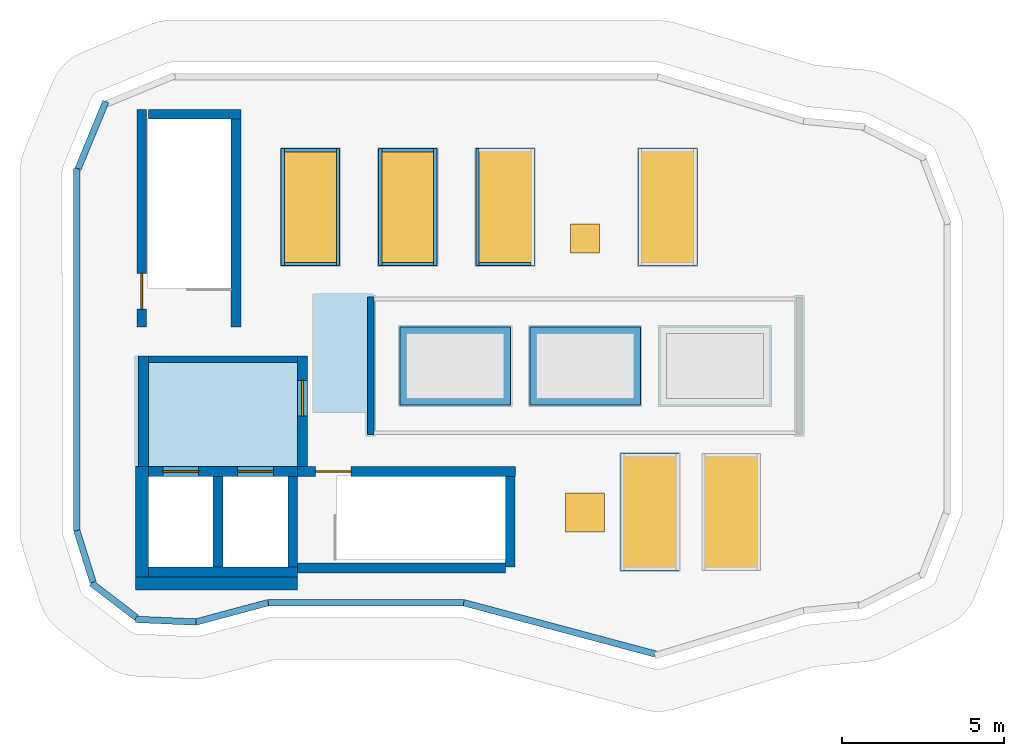
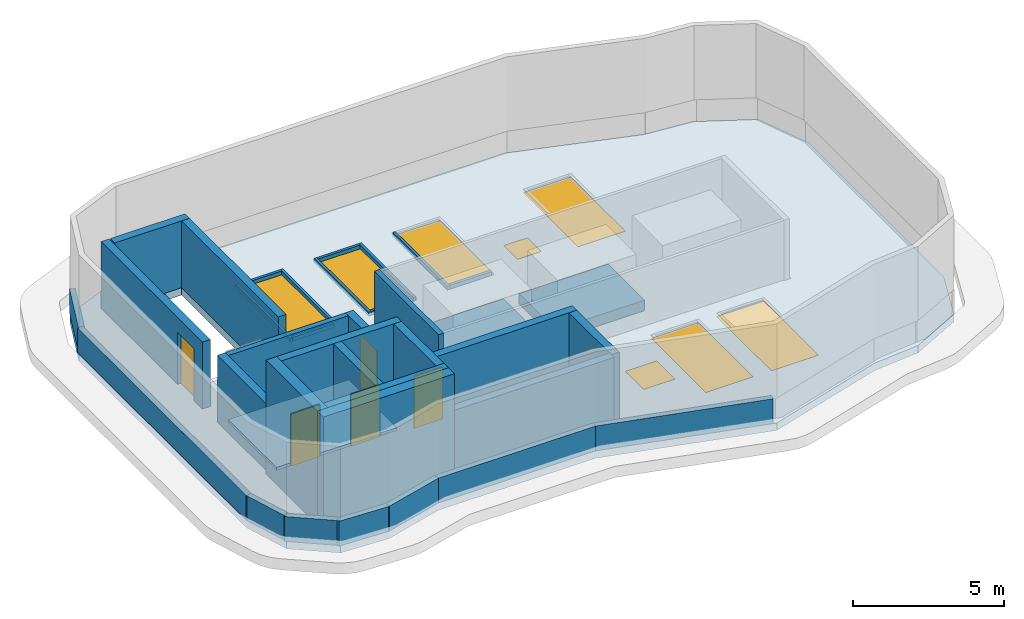
# One storey, part 1 of 4: 36 walls, 7 doors, 6 windows, 2 slabs, 13 openings.
"""IFC4 building model written with IfcOpenShell, lengths in metres."""

import ifcopenshell
import ifcopenshell.guid

model = None  # the IFC model being written
_history = None  # IfcOwnerHistory: only IFC2X3 demands one
_inside = {}  # id of a spatial element -> (the spatial element, [elements in it])
_under = {}  # id of a project, library or spatial element -> (it, [spatial elements below it])
_declared = {}  # id of a project -> (the project, [libraries it declares])
_typed = {}  # id of a type object -> (the type object, [elements of that type])
_made_of = {}  # id of a material, layer set ... -> (it, [elements and type objects made of it])


def new_model(schema):
    """Start an empty IFC model of exactly this schema.

    Asked for "IFC4X3", IfcOpenShell would pick the latest addendum, in which some entities
    have other attributes; the version numbers below select the first issue.
    IFC2X3 requires an IfcOwnerHistory on every rooted entity: one is made here for all.
    """
    global model, _history
    if schema == "IFC4X3":
        model = ifcopenshell.file(schema_version=(4, 3, 0, 0))
    else:
        model = ifcopenshell.file(schema=schema)
    _inside.clear()
    _under.clear()
    _declared.clear()
    _typed.clear()
    _made_of.clear()
    _history = None
    if model.schema == "IFC2X3":
        org = make("IfcOrganization", Name="unknown")
        user = make(
            "IfcPersonAndOrganization",
            ThePerson=make("IfcPerson", FamilyName="unknown"),
            TheOrganization=org,
        )
        app = make(
            "IfcApplication",
            ApplicationDeveloper=org,
            Version="unknown",
            ApplicationFullName="unknown",
            ApplicationIdentifier="unknown",
        )
        _history = make(
            "IfcOwnerHistory",
            OwningUser=user,
            OwningApplication=app,
            ChangeAction="ADDED",
            CreationDate=0,
        )
    return model


def make(cls, **values):
    """One entity of the class cls with the attributes given. An attribute that is None is left unset."""
    return model.create_entity(
        cls, **{name: value for name, value in values.items() if value is not None}
    )


def rooted(cls, **values):
    """An entity with a GlobalId (a new one), such as an element, a storey or a relation."""
    return make(cls, GlobalId=ifcopenshell.guid.new(), OwnerHistory=_history, **values)


def si_unit(unit_type, name, prefix=None):
    """IfcSIUnit, for example si_unit("LENGTHUNIT", "METRE", prefix="MILLI")."""
    return make("IfcSIUnit", UnitType=unit_type, Prefix=prefix, Name=name)


def assignment(units):
    """IfcUnitAssignment: the units of a project."""
    return None if units is None else make("IfcUnitAssignment", Units=units)


def point(xyz):
    """IfcCartesianPoint."""
    return None if xyz is None else make("IfcCartesianPoint", Coordinates=xyz)


def direction(xyz):
    """IfcDirection."""
    return None if xyz is None else make("IfcDirection", DirectionRatios=xyz)


def frame(location, z_axis=None, x_axis=None):
    """IfcAxis2Placement3D, a coordinate frame: its origin and axes. An axis left out is left unset."""
    return make(
        "IfcAxis2Placement3D",
        Location=point(location),
        Axis=direction(z_axis),
        RefDirection=direction(x_axis),
    )


def frame_2d(location, x_axis=None):
    """IfcAxis2Placement2D, a coordinate frame in the plane: its origin and x axis."""
    return make(
        "IfcAxis2Placement2D", Location=point(location), RefDirection=direction(x_axis)
    )


def origin():
    """The frame at (0, 0, 0) with its axes left unset."""
    return frame((0.0, 0.0, 0.0))


def origin_2d():
    """The frame at (0, 0) in the plane with its x axis left unset."""
    return frame_2d((0.0, 0.0))


def place(relative_to, where):
    """IfcLocalPlacement: puts the frame where relative to a parent placement (None: the world)."""
    return make(
        "IfcLocalPlacement", PlacementRelTo=relative_to, RelativePlacement=where
    )


def context(
    kind, dimensions, precision=None, world=None, true_north=None, identifier=None
):
    """IfcGeometricRepresentationContext, for example the 3D "Model" context."""
    return make(
        "IfcGeometricRepresentationContext",
        ContextIdentifier=identifier,
        ContextType=kind,
        CoordinateSpaceDimension=dimensions,
        Precision=precision,
        WorldCoordinateSystem=world,
        TrueNorth=true_north,
    )


def subcontext(parent, identifier, kind, view, scale=None):
    """IfcGeometricRepresentationSubContext, for example "Body" below "Model"."""
    return make(
        "IfcGeometricRepresentationSubContext",
        ContextIdentifier=identifier,
        ContextType=kind,
        ParentContext=parent,
        TargetScale=scale,
        TargetView=view,
    )


def project(units=None, contexts=None):
    """IfcProject with its units and contexts."""
    return rooted(
        "IfcProject",
        Name="project",
        RepresentationContexts=contexts,
        UnitsInContext=assignment(units),
    )


def spatial(cls, under=None, at=None, **own):
    """A site, building, storey or space (cls), placed at a placement, below another one or the project."""
    s = rooted(cls, ObjectPlacement=at, **own)
    if under is not None:
        _under.setdefault(under.id(), (under, []))[1].append(s)
    return s


def polyline(points):
    """IfcPolyline through the points."""
    return make("IfcPolyline", Points=[point(p) for p in points])


def profile(cls, at=None, kind="AREA", **sizes):
    """A parametric profile (cls). Its sizes go by their IFC names, for example OverallWidth=200.0."""
    return make(cls, ProfileType=kind, Position=at, **sizes)


def rectangle(**sizes):
    """IfcRectangleProfileDef."""
    return profile("IfcRectangleProfileDef", **sizes)


def outline(outer, holes=None, kind="AREA"):
    """IfcArbitraryClosedProfileDef: a profile drawn as a closed curve; with holes, ...WithVoids."""
    if holes is None:
        return make("IfcArbitraryClosedProfileDef", ProfileType=kind, OuterCurve=outer)
    return make(
        "IfcArbitraryProfileDefWithVoids",
        ProfileType=kind,
        OuterCurve=outer,
        InnerCurves=holes,
    )


def extrude(swept, where, along, depth):
    """IfcExtrudedAreaSolid: the profile swept, set in the frame where, extruded along a direction by depth."""
    return make(
        "IfcExtrudedAreaSolid",
        SweptArea=swept,
        Position=where,
        ExtrudedDirection=direction(along),
        Depth=depth,
    )


def shape(context_of_items, identifier, shape_type, items):
    """IfcShapeRepresentation: the items that make up one representation, for example the "Body"."""
    return make(
        "IfcShapeRepresentation",
        ContextOfItems=context_of_items,
        RepresentationIdentifier=identifier,
        RepresentationType=shape_type,
        Items=items,
    )


def material(Name=None, Category=None):
    """IfcMaterial."""
    return make("IfcMaterial", Name=Name, Category=Category)


def layer(
    of_material, thickness, ventilated=None, Name=None, Category=None, Priority=None
):
    """IfcMaterialLayer: one layer of a wall or slab, of a material (None: an air gap)."""
    return make(
        "IfcMaterialLayer",
        Material=of_material,
        LayerThickness=thickness,
        IsVentilated=ventilated,
        Name=Name,
        Category=Category,
        Priority=Priority,
    )


def layer_set(layers, Name=None):
    """IfcMaterialLayerSet."""
    return make("IfcMaterialLayerSet", MaterialLayers=layers, LayerSetName=Name)


def made_of(thing, what):
    """Note that an element or type object is made of a material, layer set ...; save() writes the relation."""
    if what is not None:
        _made_of.setdefault(what.id(), (what, []))[1].append(thing)
    return thing


def type_object(cls, material=None, **own):
    """A type object (cls), such as IfcWallType, which elements share."""
    return made_of(rooted(cls, **own), material)


def element(
    cls,
    number,
    at=None,
    inside=None,
    cuts=None,
    type_object=None,
    material=None,
    context=None,
    identifier="Body",
    shape_type=None,
    held_by="IfcProductDefinitionShape",
    body=None,
    shapes=None,
    **own,
):
    """One element of the class cls, such as IfcWall. Its Tag is "e" and its number.

    at: its placement. inside: the storey or other place that contains it. cuts: it is an
    opening in that element (IfcRelVoidsElement). A single representation is given by context,
    identifier, shape_type and body (its items); several are given by shapes. held_by: the class
    of the entity that holds the representations. save() writes the other relations.
    """
    e = rooted(cls, Tag="e%d" % number, ObjectPlacement=at, **own)
    if body is not None:
        shapes = [shape(context, identifier, shape_type, body)]
    if shapes is not None:
        e.Representation = make(held_by, Representations=shapes)
    if inside is not None:
        _inside.setdefault(inside.id(), (inside, []))[1].append(e)
    if cuts is not None:
        rooted(
            "IfcRelVoidsElement", RelatingBuildingElement=cuts, RelatedOpeningElement=e
        )
    if type_object is not None:
        _typed.setdefault(type_object.id(), (type_object, []))[1].append(e)
    return made_of(e, material)


def fill(opening, filler):
    """IfcRelFillsElement: the door or window that sits in an opening."""
    return rooted(
        "IfcRelFillsElement",
        RelatingOpeningElement=opening,
        RelatedBuildingElement=filler,
    )


def aggregate(whole, parts):
    """IfcRelAggregates: a whole, such as a stair, and the parts it consists of."""
    return rooted("IfcRelAggregates", RelatingObject=whole, RelatedObjects=parts)


def save(model, path):
    """Write the relations noted so far, then the file.

    IfcRelAggregates (storeys below a building ...), IfcRelContainedInSpatialStructure (elements
    in a storey), IfcRelDefinesByType, IfcRelAssociatesMaterial and IfcRelDeclares: one each for
    every whole, place, type object, material and project.
    """
    for whole, parts in _under.values():
        aggregate(whole, parts)
    for where, things in _inside.values():
        rooted(
            "IfcRelContainedInSpatialStructure",
            RelatedElements=things,
            RelatingStructure=where,
        )
    for kind, things in _typed.values():
        rooted("IfcRelDefinesByType", RelatedObjects=things, RelatingType=kind)
    for what, things in _made_of.values():
        rooted("IfcRelAssociatesMaterial", RelatedObjects=things, RelatingMaterial=what)
    for by, libraries in _declared.values():
        rooted("IfcRelDeclares", RelatingContext=by, RelatedDefinitions=libraries)
    model.write(path)


model = new_model("IFC4")

# Units and contexts
model_context = context("Model", 3, precision=1e-05, world=origin(), true_north=direction((0.0, 1.0)))
body_context = subcontext(model_context, "Body", "Model", "MODEL_VIEW")
ifc_project = project(units=[si_unit("LENGTHUNIT", "METRE"), si_unit("AREAUNIT", "SQUARE_METRE"), si_unit("VOLUMEUNIT", "CUBIC_METRE"), si_unit("PLANEANGLEUNIT", "RADIAN"), si_unit("MASSUNIT", "GRAM", prefix="KILO")], contexts=[model_context])

# Site, building, storey
site_placement = place(None, origin())
site = spatial("IfcSite", under=ifc_project, at=site_placement, CompositionType="ELEMENT")
building_placement = place(site_placement, origin())
building = spatial("IfcBuilding", under=site, at=building_placement, Name="Plateau Cross Towers", CompositionType="ELEMENT")
storey_placement = place(building_placement, frame((0.0, 0.0, 312.39990234375)))
storey = spatial("IfcBuildingStorey", under=building, at=storey_placement, Name="Roof", CompositionType="ELEMENT", Elevation=312.39990234375)

# Slab
ifc_material_1 = material(Name="Concrete C40/50", Category="concrete")
ifc_layer_1 = layer(ifc_material_1, 0.1201171875)
ifc_layer_set_1 = layer_set([ifc_layer_1], Name="Concrete C40/50")
slab_type_1 = type_object("IfcSlabType", Name="Plant deck slab 120", PredefinedType="FLOOR", material=ifc_layer_set_1)
slab_1_placement = place(storey_placement, origin())
element("IfcSlab", 1, at=slab_1_placement, inside=storey, type_object=slab_type_1, Name="Roof lift lobby floor", PredefinedType="FLOOR", context=body_context, shape_type="SweptSolid", body=[
    extrude(outline(polyline([(2.300048828125, 5.89990234375), (6.89990234375, 5.89990234375), (6.89990234375, 9.10009765625), (2.300048828125, 9.10009765625), (2.300048828125, 5.89990234375)])), origin(), (0.0, 0.0, 1.0), 0.1201171875),
])

# Slab, openings, doors, windows
ifc_layer_2 = layer(ifc_material_1, 0.300048828125)
ifc_layer_set_2 = layer_set([ifc_layer_2], Name="Concrete C40/50")
slab_type_2 = type_object("IfcSlabType", Name="Post-tensioned roof slab 300", PredefinedType="ROOF", material=ifc_layer_set_2)
slab_2_placement = place(storey_placement, frame((0.0, 0.0, -0.2998046875)))
slab_2 = element("IfcSlab", 2, at=slab_2_placement, inside=storey, type_object=slab_type_2, Name="SL-A-Roof", PredefinedType="ROOF", context=body_context, shape_type="SweptSolid", body=[
    extrude(outline(polyline([(3.776123046875, 1.01123046875), (6.0, 1.60693359375), (12.0, 1.60693359375), (18.0, 0.0), (22.5, 1.36328125), (24.289794921875, 1.536865234375), (26.221435546875, 2.506591796875), (27.0, 4.52294921875), (27.0, 13.47705078125), (26.221435546875, 15.493408203125), (24.289794921875, 16.463134765625), (22.5, 16.63671875), (18.0, 18.0), (3.0, 18.0), (0.878662109375, 17.121337890625), (0.0, 15.0), (0.0, 3.9091796875), (0.54248046875, 2.1884765625), (1.9736328125, 1.090087890625), (3.776123046875, 1.01123046875)]), holes=[polyline([(4.304931640625, 2.794921875), (2.294921875, 2.794921875), (2.294921875, 5.60498046875), (4.304931640625, 5.60498046875), (4.304931640625, 2.794921875)]), polyline([(6.60498046875, 2.794921875), (4.594970703125, 2.794921875), (4.594970703125, 5.60498046875), (6.60498046875, 5.60498046875), (6.60498046875, 2.794921875)]), polyline([(8.094970703125, 4.405029296875), (8.10498046875, 4.405029296875), (8.10498046875, 5.60498046875), (13.304931640625, 5.60498046875), (13.304931640625, 3.044921875), (8.094970703125, 3.044921875), (8.094970703125, 4.405029296875)]), polyline([(3.4951171875, 11.39501953125), (3.4951171875, 11.405029296875), (2.294921875, 11.405029296875), (2.294921875, 16.60498046875), (4.85498046875, 16.60498046875), (4.85498046875, 11.39501953125), (3.4951171875, 11.39501953125)])]), origin(), (0.0, 0.0, 1.0), 0.2998046875),
])
opening_1_placement = place(slab_2_placement, frame((15.75, 12.919921875, 0.0)))
opening_1 = element("IfcOpeningElement", 3, at=opening_1_placement, cuts=slab_2, Name="Opening RH1", PredefinedType="OPENING", context=body_context, shape_type="SweptSolid", body=[
    extrude(rectangle(XDim=0.89990234375, YDim=0.89990234375, at=origin_2d()), origin(), (0.0, 0.0, 1.0), 0.2998046875),
])
opening_2_placement = place(slab_2_placement, frame((15.75, 4.47998046875, 0.0)))
opening_2 = element("IfcOpeningElement", 4, at=opening_2_placement, cuts=slab_2, Name="Opening RH2", PredefinedType="OPENING", context=body_context, shape_type="SweptSolid", body=[
    extrude(rectangle(XDim=1.199951171875, YDim=1.199951171875, at=origin_2d()), origin(), (0.0, 0.0, 1.0), 0.2998046875),
])
opening_3_placement = place(slab_2_placement, frame((17.75, 4.5, 0.0)))
opening_3 = element("IfcOpeningElement", 5, at=opening_3_placement, cuts=slab_2, Name="Opening RL2", PredefinedType="OPENING", context=body_context, shape_type="SweptSolid", body=[
    extrude(rectangle(XDim=1.800048828125, YDim=3.60009765625, at=origin_2d()), origin(), (0.0, 0.0, 1.0), 0.2998046875),
])
opening_4_placement = place(slab_2_placement, frame((20.25, 4.5, 0.0)))
opening_4 = element("IfcOpeningElement", 6, at=opening_4_placement, cuts=slab_2, Name="Opening RL2", PredefinedType="OPENING", context=body_context, shape_type="SweptSolid", body=[
    extrude(rectangle(XDim=1.800048828125, YDim=3.60009765625, at=origin_2d()), origin(), (0.0, 0.0, 1.0), 0.2998046875),
])
opening_5_placement = place(slab_2_placement, frame((7.2900390625, 13.889892578125, 0.0)))
opening_5 = element("IfcOpeningElement", 7, at=opening_5_placement, cuts=slab_2, Name="Opening RL2", PredefinedType="OPENING", context=body_context, shape_type="SweptSolid", body=[
    extrude(rectangle(XDim=1.800048828125, YDim=3.60009765625, at=origin_2d()), origin(), (0.0, 0.0, 1.0), 0.2998046875),
])
opening_6_placement = place(slab_2_placement, frame((10.2900390625, 13.889892578125, 0.0)))
opening_6 = element("IfcOpeningElement", 8, at=opening_6_placement, cuts=slab_2, Name="Opening RL2", PredefinedType="OPENING", context=body_context, shape_type="SweptSolid", body=[
    extrude(rectangle(XDim=1.800048828125, YDim=3.60009765625, at=origin_2d()), origin(), (0.0, 0.0, 1.0), 0.2998046875),
])
opening_7_placement = place(slab_2_placement, frame((13.2900390625, 13.889892578125, 0.0)))
opening_7 = element("IfcOpeningElement", 9, at=opening_7_placement, cuts=slab_2, Name="Opening RL2", PredefinedType="OPENING", context=body_context, shape_type="SweptSolid", body=[
    extrude(rectangle(XDim=1.800048828125, YDim=3.60009765625, at=origin_2d()), origin(), (0.0, 0.0, 1.0), 0.2998046875),
])
opening_8_placement = place(slab_2_placement, frame((18.2900390625, 13.889892578125, 0.0)))
opening_8 = element("IfcOpeningElement", 10, at=opening_8_placement, cuts=slab_2, Name="Opening RL2", PredefinedType="OPENING", context=body_context, shape_type="SweptSolid", body=[
    extrude(rectangle(XDim=1.800048828125, YDim=3.60009765625, at=origin_2d()), origin(), (0.0, 0.0, 1.0), 0.2998046875),
])
ifc_material_2 = material(Name="Insulated aluminium", Category="aluminium")
door_type_1 = type_object("IfcDoorType", Name="Roof access hatch 1200", OperationType="SINGLE_SWING_LEFT", PredefinedType="TRAPDOOR", material=ifc_material_2)
door_1_placement = place(opening_2_placement, frame((0.0, 0.0, 0.249755859375)))
door_1 = element("IfcDoor", 11, at=door_1_placement, inside=storey, type_object=door_type_1, Name="Plant replacement hatch", OperationType="SINGLE_SWING_LEFT", OverallHeight=1.199951171875, OverallWidth=1.199951171875, PredefinedType="TRAPDOOR", context=body_context, shape_type="SweptSolid", body=[
    extrude(rectangle(XDim=1.199951171875, YDim=1.199951171875, at=origin_2d()), origin(), (0.0, 0.0, 1.0), 0.050048828125),
])
fill(opening_2, door_1)
door_type_2 = type_object("IfcDoorType", Name="Roof access hatch 900", OperationType="SINGLE_SWING_LEFT", PredefinedType="TRAPDOOR", material=ifc_material_2)
door_2_placement = place(opening_1_placement, frame((0.0, 0.0, 0.249755859375)))
door_2 = element("IfcDoor", 12, at=door_2_placement, inside=storey, type_object=door_type_2, Name="Roof access hatch", OperationType="SINGLE_SWING_LEFT", OverallHeight=0.89990234375, OverallWidth=0.89990234375, PredefinedType="TRAPDOOR", context=body_context, shape_type="SweptSolid", body=[
    extrude(rectangle(XDim=0.89990234375, YDim=0.89990234375, at=origin_2d()), origin(), (0.0, 0.0, 1.0), 0.050048828125),
])
fill(opening_1, door_2)
ifc_material_3 = material(Name="Aluminium framed glazing", Category="aluminium")
window_type = type_object("IfcWindowType", Name="Rooflight 1800x3600", PartitioningType="SINGLE_PANEL", PredefinedType="SKYLIGHT", material=ifc_material_3)
window_1_placement = place(opening_3_placement, frame((0.0, 0.0, 0.249755859375)))
window_1 = element("IfcWindow", 13, at=window_1_placement, inside=storey, type_object=window_type, Name="Rooflight RL2 1", OverallHeight=3.60009765625, OverallWidth=1.800048828125, PartitioningType="SINGLE_PANEL", PredefinedType="SKYLIGHT", context=body_context, shape_type="SweptSolid", body=[
    extrude(rectangle(XDim=1.800048828125, YDim=3.60009765625, at=origin_2d()), origin(), (0.0, 0.0, 1.0), 0.050048828125),
])
fill(opening_3, window_1)
window_2_placement = place(opening_4_placement, frame((0.0, 0.0, 0.249755859375)))
window_2 = element("IfcWindow", 14, at=window_2_placement, inside=storey, type_object=window_type, Name="Rooflight RL2 2", OverallHeight=3.60009765625, OverallWidth=1.800048828125, PartitioningType="SINGLE_PANEL", PredefinedType="SKYLIGHT", context=body_context, shape_type="SweptSolid", body=[
    extrude(rectangle(XDim=1.800048828125, YDim=3.60009765625, at=origin_2d()), origin(), (0.0, 0.0, 1.0), 0.050048828125),
])
fill(opening_4, window_2)
window_3_placement = place(opening_5_placement, frame((0.0, 0.0, 0.249755859375)))
window_3 = element("IfcWindow", 15, at=window_3_placement, inside=storey, type_object=window_type, Name="Rooflight RL2 3", OverallHeight=3.60009765625, OverallWidth=1.800048828125, PartitioningType="SINGLE_PANEL", PredefinedType="SKYLIGHT", context=body_context, shape_type="SweptSolid", body=[
    extrude(rectangle(XDim=1.800048828125, YDim=3.60009765625, at=origin_2d()), origin(), (0.0, 0.0, 1.0), 0.050048828125),
])
fill(opening_5, window_3)
window_4_placement = place(opening_6_placement, frame((0.0, 0.0, 0.249755859375)))
window_4 = element("IfcWindow", 16, at=window_4_placement, inside=storey, type_object=window_type, Name="Rooflight RL2 4", OverallHeight=3.60009765625, OverallWidth=1.800048828125, PartitioningType="SINGLE_PANEL", PredefinedType="SKYLIGHT", context=body_context, shape_type="SweptSolid", body=[
    extrude(rectangle(XDim=1.800048828125, YDim=3.60009765625, at=origin_2d()), origin(), (0.0, 0.0, 1.0), 0.050048828125),
])
fill(opening_6, window_4)
window_5_placement = place(opening_7_placement, frame((0.0, 0.0, 0.249755859375)))
window_5 = element("IfcWindow", 17, at=window_5_placement, inside=storey, type_object=window_type, Name="Rooflight RL2 5", OverallHeight=3.60009765625, OverallWidth=1.800048828125, PartitioningType="SINGLE_PANEL", PredefinedType="SKYLIGHT", context=body_context, shape_type="SweptSolid", body=[
    extrude(rectangle(XDim=1.800048828125, YDim=3.60009765625, at=origin_2d()), origin(), (0.0, 0.0, 1.0), 0.050048828125),
])
fill(opening_7, window_5)
window_6_placement = place(opening_8_placement, frame((0.0, 0.0, 0.249755859375)))
window_6 = element("IfcWindow", 18, at=window_6_placement, inside=storey, type_object=window_type, Name="Rooflight RL2 6", OverallHeight=3.60009765625, OverallWidth=1.800048828125, PartitioningType="SINGLE_PANEL", PredefinedType="SKYLIGHT", context=body_context, shape_type="SweptSolid", body=[
    extrude(rectangle(XDim=1.800048828125, YDim=3.60009765625, at=origin_2d()), origin(), (0.0, 0.0, 1.0), 0.050048828125),
])
fill(opening_8, window_6)

# Walls
ifc_material_4 = material(Name="Concrete block, plastered both sides", Category="concrete")
ifc_layer_3 = layer(ifc_material_4, 0.199951171875)
ifc_layer_set_3 = layer_set([ifc_layer_3], Name="Concrete block, plastered both sides")
wall_type_1 = type_object("IfcWallType", Name="Core partition 200", PredefinedType="PARTITIONING", material=ifc_layer_set_3)
wall_1_placement = place(storey_placement, frame((2.300048828125, 9.199951171875, 0.0), z_axis=(0.0, 0.0, 1.0), x_axis=(1.0, 0.0, 0.0)))
element("IfcWall", 19, at=wall_1_placement, inside=storey, type_object=wall_type_1, Name="Roof lift lobby wall", PredefinedType="PARTITIONING", context=body_context, shape_type="SweptSolid", body=[
    extrude(rectangle(XDim=4.599853515625, YDim=0.199951171875, at=frame_2d((2.2998046875, 0.0))), origin(), (0.0, 0.0, 1.0), 2.7001953125),
])
ifc_material_5 = material(Name="Concrete C60/75", Category="concrete")
ifc_layer_4 = layer(ifc_material_5, 0.300048828125)
ifc_layer_set_4 = layer_set([ifc_layer_4], Name="Concrete C60/75")
wall_type_2 = type_object("IfcWallType", Name="Core shaft wall 300", PredefinedType="SHEAR", material=ifc_layer_set_4)
wall_2_placement = place(storey_placement, frame((5.0, 10.199951171875, 0.0), z_axis=(0.0, 0.0, 1.0), x_axis=(0.0, 1.0, 0.0)))
element("IfcWall", 20, at=wall_2_placement, inside=storey, type_object=wall_type_2, Name="ST-1 head house wall", PredefinedType="SHEAR", context=body_context, shape_type="SweptSolid", body=[
    extrude(rectangle(XDim=6.400146484375, YDim=0.300048828125, at=frame_2d((3.2001953125, 0.0))), origin(), (0.0, 0.0, 1.0), 2.7001953125),
])
wall_3_placement = place(storey_placement, frame((5.14990234375, 16.75, 0.0), z_axis=(0.0, 0.0, 1.0), x_axis=(-1.0, 0.0, 0.0)))
element("IfcWall", 21, at=wall_3_placement, inside=storey, type_object=wall_type_2, Name="ST-1 head house wall", PredefinedType="SHEAR", context=body_context, shape_type="SweptSolid", body=[
    extrude(rectangle(XDim=2.849853515625, YDim=0.300048828125, at=frame_2d((1.4248046875, 0.0))), origin(), (0.0, 0.0, 1.0), 2.7001953125),
])
wall_4_placement = place(storey_placement, frame((13.449951171875, 2.800048828125, 0.0), z_axis=(0.0, 0.0, 1.0), x_axis=(0.0, 1.0, 0.0)))
element("IfcWall", 22, at=wall_4_placement, inside=storey, type_object=wall_type_2, Name="ST-2 head house wall", PredefinedType="SHEAR", context=body_context, shape_type="SweptSolid", body=[
    extrude(rectangle(XDim=2.800048828125, YDim=0.300048828125, at=frame_2d((1.39990234375, 0.0))), origin(), (0.0, 0.0, 1.0), 2.7001953125),
])

# Wall, opening, door
wall_5_placement = place(storey_placement, frame((6.89990234375, 5.75, 0.0), z_axis=(0.0, 0.0, 1.0), x_axis=(1.0, 0.0, 0.0)))
wall_5 = element("IfcWall", 23, at=wall_5_placement, inside=storey, type_object=wall_type_2, Name="ST-2 head house wall", PredefinedType="SHEAR", context=body_context, shape_type="SweptSolid", body=[
    extrude(rectangle(XDim=6.7001953125, YDim=0.300048828125, at=frame_2d((3.35009765625, 0.0))), origin(), (0.0, 0.0, 1.0), 2.7001953125),
])
opening_9_placement = place(wall_5_placement, frame((0.550048828125, 0.0, 0.0)))
opening_9 = element("IfcOpeningElement", 24, at=opening_9_placement, cuts=wall_5, Name="Opening SD", PredefinedType="OPENING", context=body_context, shape_type="SweptSolid", body=[
    extrude(rectangle(XDim=1.10009765625, YDim=2.10009765625, at=frame_2d((0.550048828125, 1.050048828125))), frame((0.0, 0.159912109375, 0.0), z_axis=(0.0, -1.0, 0.0), x_axis=(1.0, 0.0, 0.0)), (0.0, 0.0, 1.0), 0.320068359375),
])
ifc_material_6 = material(Name="Steel, fire-resisting leaf", Category="steel")
door_type_3 = type_object("IfcDoorType", Name="Stair door 1100", OperationType="NOTDEFINED", PredefinedType="DOOR", material=ifc_material_6)
door_3_placement = place(opening_9_placement, origin())
door_3 = element("IfcDoor", 25, at=door_3_placement, inside=storey, type_object=door_type_3, Name="Stair door SD", OperationType="SINGLE_SWING_LEFT", OverallHeight=2.10009765625, OverallWidth=1.10009765625, PredefinedType="DOOR", context=body_context, shape_type="SweptSolid", body=[
    extrude(rectangle(XDim=1.10009765625, YDim=2.10009765625, at=frame_2d((0.550048828125, 1.050048828125))), frame((0.0, 0.02490234375, 0.0), z_axis=(0.0, -1.0, 0.0), x_axis=(1.0, 0.0, 0.0)), (0.0, 0.0, 1.0), 0.050048828125),
])
fill(opening_9, door_3)

# Walls
wall_6_placement = place(storey_placement, frame((2.300048828125, 2.64990234375, 0.0), z_axis=(0.0, 0.0, 1.0), x_axis=(1.0, 0.0, 0.0)))
element("IfcWall", 26, at=wall_6_placement, inside=storey, type_object=wall_type_2, Name="Lift head house wall", PredefinedType="SHEAR", context=body_context, shape_type="SweptSolid", body=[
    extrude(rectangle(XDim=4.599853515625, YDim=0.300048828125, at=frame_2d((2.2998046875, 0.0))), origin(), (0.0, 0.0, 1.0), 4.60009765625),
])
for number, where, z_axis, x_axis, name in (
    (27, (4.449951171875, 2.800048828125, 0.0), (0.0, 0.0, 1.0), (0.0, 1.0, 0.0), "Lift head house wall"),
    (28, (6.75, 2.800048828125, 0.0), (0.0, 0.0, 1.0), (0.0, 1.0, 0.0), "Lift head house wall"),
):
    element("IfcWall", number, at=place(storey_placement, frame(where, z_axis=z_axis, x_axis=x_axis)), inside=storey, type_object=wall_type_2, Name=name, PredefinedType="SHEAR", context=body_context, shape_type="SweptSolid", body=[
        extrude(rectangle(XDim=2.800048828125, YDim=0.300048828125, at=frame_2d((1.39990234375, 0.0))), origin(), (0.0, 0.0, 1.0), 4.60009765625),
    ])

# Wall, openings, doors
wall_7_placement = place(storey_placement, frame((2.300048828125, 5.75, 0.0), z_axis=(0.0, 0.0, 1.0), x_axis=(1.0, 0.0, 0.0)))
wall_7 = element("IfcWall", 29, at=wall_7_placement, inside=storey, type_object=wall_type_2, Name="Lift head house wall", PredefinedType="SHEAR", context=body_context, shape_type="SweptSolid", body=[
    extrude(rectangle(XDim=4.599853515625, YDim=0.300048828125, at=frame_2d((2.2998046875, 0.0))), origin(), (0.0, 0.0, 1.0), 4.60009765625),
])
opening_10_placement = place(wall_7_placement, frame((0.449951171875, 0.0, 0.1201171875)))
opening_10 = element("IfcOpeningElement", 30, at=opening_10_placement, cuts=wall_7, Name="Opening LD", PredefinedType="OPENING", context=body_context, shape_type="SweptSolid", body=[
    extrude(rectangle(XDim=1.10009765625, YDim=2.10009765625, at=frame_2d((0.550048828125, 1.050048828125))), frame((0.0, 0.159912109375, 0.0), z_axis=(0.0, -1.0, 0.0), x_axis=(1.0, 0.0, 0.0)), (0.0, 0.0, 1.0), 0.320068359375),
])
opening_11_placement = place(wall_7_placement, frame((2.75, 0.0, 0.1201171875)))
opening_11 = element("IfcOpeningElement", 31, at=opening_11_placement, cuts=wall_7, Name="Opening LD", PredefinedType="OPENING", context=body_context, shape_type="SweptSolid", body=[
    extrude(rectangle(XDim=1.10009765625, YDim=2.10009765625, at=frame_2d((0.550048828125, 1.050048828125))), frame((0.0, 0.159912109375, 0.0), z_axis=(0.0, -1.0, 0.0), x_axis=(1.0, 0.0, 0.0)), (0.0, 0.0, 1.0), 0.320068359375),
])
ifc_material_7 = material(Name="Stainless steel, fire-resisting sliding leaves", Category="steel")
door_type_4 = type_object("IfcDoorType", Name="Lift landing door 1100", OperationType="NOTDEFINED", PredefinedType="DOOR", material=ifc_material_7)
door_4_placement = place(opening_10_placement, origin())
door_4 = element("IfcDoor", 32, at=door_4_placement, inside=storey, type_object=door_type_4, Name="Lift landing door LD", OperationType="DOUBLE_DOOR_SLIDING", OverallHeight=2.10009765625, OverallWidth=1.10009765625, PredefinedType="DOOR", context=body_context, shape_type="SweptSolid", body=[
    extrude(rectangle(XDim=1.10009765625, YDim=2.10009765625, at=frame_2d((0.550048828125, 1.050048828125))), frame((0.0, 0.02490234375, 0.0), z_axis=(0.0, -1.0, 0.0), x_axis=(1.0, 0.0, 0.0)), (0.0, 0.0, 1.0), 0.050048828125),
])
fill(opening_10, door_4)
door_5_placement = place(opening_11_placement, origin())
door_5 = element("IfcDoor", 33, at=door_5_placement, inside=storey, type_object=door_type_4, Name="Lift landing door LD", OperationType="DOUBLE_DOOR_SLIDING", OverallHeight=2.10009765625, OverallWidth=1.10009765625, PredefinedType="DOOR", context=body_context, shape_type="SweptSolid", body=[
    extrude(rectangle(XDim=1.10009765625, YDim=2.10009765625, at=frame_2d((0.550048828125, 1.050048828125))), frame((0.0, 0.02490234375, 0.0), z_axis=(0.0, -1.0, 0.0), x_axis=(1.0, 0.0, 0.0)), (0.0, 0.0, 1.0), 0.050048828125),
])
fill(opening_11, door_5)

# Wall
wall_8_placement = place(storey_placement, frame((2.14990234375, 5.89990234375, 0.0), z_axis=(0.0, 0.0, 1.0), x_axis=(0.0, 1.0, 0.0)))
element("IfcWall", 34, at=wall_8_placement, inside=storey, type_object=wall_type_2, Name="Roof lift lobby wall", PredefinedType="SHEAR", context=body_context, shape_type="SweptSolid", body=[
    extrude(rectangle(XDim=3.400146484375, YDim=0.300048828125, at=frame_2d((1.7001953125, 0.0))), origin(), (0.0, 0.0, 1.0), 2.7001953125),
])

# Wall, opening, door
wall_9_placement = place(storey_placement, frame((7.050048828125, 5.89990234375, 0.0), z_axis=(0.0, 0.0, 1.0), x_axis=(0.0, 1.0, 0.0)))
wall_9 = element("IfcWall", 35, at=wall_9_placement, inside=storey, type_object=wall_type_2, Name="Roof lift lobby wall", PredefinedType="SHEAR", context=body_context, shape_type="SweptSolid", body=[
    extrude(rectangle(XDim=3.400146484375, YDim=0.300048828125, at=frame_2d((1.7001953125, 0.0))), origin(), (0.0, 0.0, 1.0), 2.7001953125),
])
opening_12_placement = place(wall_9_placement, frame((1.550048828125, 0.0, 0.1201171875)))
opening_12 = element("IfcOpeningElement", 36, at=opening_12_placement, cuts=wall_9, Name="Opening FFD", PredefinedType="OPENING", context=body_context, shape_type="SweptSolid", body=[
    extrude(rectangle(XDim=1.10009765625, YDim=2.10009765625, at=frame_2d((0.550048828125, 1.050048828125))), frame((0.0, 0.159912109375, 0.0), z_axis=(0.0, -1.0, 0.0), x_axis=(1.0, 0.0, 0.0)), (0.0, 0.0, 1.0), 0.320068359375),
])
door_type_5 = type_object("IfcDoorType", Name="Firefighting lobby door 1100", OperationType="NOTDEFINED", PredefinedType="DOOR", material=ifc_material_6)
door_6_placement = place(opening_12_placement, origin())
door_6 = element("IfcDoor", 37, at=door_6_placement, inside=storey, type_object=door_type_5, Name="Firefighting lobby door FFD", OperationType="SINGLE_SWING_RIGHT", OverallHeight=2.10009765625, OverallWidth=1.10009765625, PredefinedType="DOOR", context=body_context, shape_type="SweptSolid", body=[
    extrude(rectangle(XDim=1.10009765625, YDim=2.10009765625, at=frame_2d((0.550048828125, 1.050048828125))), frame((0.0, 0.02490234375, 0.0), z_axis=(0.0, -1.0, 0.0), x_axis=(1.0, 0.0, 0.0)), (0.0, 0.0, 1.0), 0.050048828125),
])
fill(opening_12, door_6)

# Wall
ifc_layer_5 = layer(ifc_material_5, 0.550048828125)
ifc_layer_set_5 = layer_set([ifc_layer_5], Name="Concrete C60/75")
wall_type_3 = type_object("IfcWallType", Name="Core shaft wall 550", PredefinedType="SHEAR", material=ifc_layer_set_5)
wall_10_placement = place(storey_placement, frame((6.89990234375, 2.77490234375, 0.0), z_axis=(0.0, 0.0, 1.0), x_axis=(1.0, 0.0, 0.0)))
element("IfcWall", 38, at=wall_10_placement, inside=storey, type_object=wall_type_3, Name="ST-2 head house wall", PredefinedType="SHEAR", context=body_context, shape_type="SweptSolid", body=[
    extrude(rectangle(XDim=6.400146484375, YDim=0.300048828125, at=frame_2d((3.2001953125, 0.0))), origin(), (0.0, 0.0, 1.0), 2.7001953125),
])

# Wall, opening, door
ifc_layer_6 = layer(ifc_material_5, 0.39990234375)
ifc_layer_set_6 = layer_set([ifc_layer_6], Name="Concrete C60/75")
wall_type_4 = type_object("IfcWallType", Name="Core shell wall 400", PredefinedType="SHEAR", material=ifc_layer_set_6)
wall_11_placement = place(storey_placement, frame((2.10009765625, 10.199951171875, 0.0), z_axis=(0.0, 0.0, 1.0), x_axis=(0.0, 1.0, 0.0)))
wall_11 = element("IfcWall", 39, at=wall_11_placement, inside=storey, type_object=wall_type_4, Name="ST-1 head house wall", PredefinedType="SHEAR", context=body_context, shape_type="SweptSolid", body=[
    extrude(rectangle(XDim=6.699951171875, YDim=0.300048828125, at=frame_2d((3.35009765625, 0.0))), origin(), (0.0, 0.0, 1.0), 2.7001953125),
])
opening_13_placement = place(wall_11_placement, frame((0.550048828125, 0.0, 0.0)))
opening_13 = element("IfcOpeningElement", 40, at=opening_13_placement, cuts=wall_11, Name="Opening SD", PredefinedType="OPENING", context=body_context, shape_type="SweptSolid", body=[
    extrude(rectangle(XDim=1.10009765625, YDim=2.10009765625, at=frame_2d((0.550048828125, 1.050048828125))), frame((0.0, 0.159912109375, 0.0), z_axis=(0.0, -1.0, 0.0), x_axis=(1.0, 0.0, 0.0)), (0.0, 0.0, 1.0), 0.320068359375),
])
door_7_placement = place(opening_13_placement, origin())
door_7 = element("IfcDoor", 41, at=door_7_placement, inside=storey, type_object=door_type_3, Name="Stair door SD", OperationType="SINGLE_SWING_LEFT", OverallHeight=2.10009765625, OverallWidth=1.10009765625, PredefinedType="DOOR", context=body_context, shape_type="SweptSolid", body=[
    extrude(rectangle(XDim=1.10009765625, YDim=2.10009765625, at=frame_2d((0.550048828125, 1.050048828125))), frame((0.0, 0.02490234375, 0.0), z_axis=(0.0, -1.0, 0.0), x_axis=(1.0, 0.0, 0.0)), (0.0, 0.0, 1.0), 0.050048828125),
])
fill(opening_13, door_7)

# Walls
wall_12_placement = place(storey_placement, frame((1.89990234375, 2.300048828125, 0.0), z_axis=(0.0, 0.0, 1.0), x_axis=(1.0, 0.0, 0.0)))
element("IfcWall", 42, at=wall_12_placement, inside=storey, type_object=wall_type_4, Name="Lift head house shell wall", PredefinedType="SHEAR", context=body_context, shape_type="SweptSolid", body=[
    extrude(rectangle(XDim=5.0, YDim=0.39990234375, at=frame_2d((2.5, 0.0))), origin(), (0.0, 0.0, 1.0), 4.60009765625),
])
wall_13_placement = place(storey_placement, frame((2.10009765625, 2.5, 0.0), z_axis=(0.0, 0.0, 1.0), x_axis=(0.0, 1.0, 0.0)))
element("IfcWall", 43, at=wall_13_placement, inside=storey, type_object=wall_type_4, Name="Lift head house shell wall", PredefinedType="SHEAR", context=body_context, shape_type="SweptSolid", body=[
    extrude(rectangle(XDim=3.39990234375, YDim=0.39990234375, at=frame_2d((1.699951171875, 0.0))), origin(), (0.0, 0.0, 1.0), 4.60009765625),
])
ifc_material_8 = material(Name="Concrete C30/37", Category="concrete")
ifc_layer_7 = layer(ifc_material_8, 0.199951171875)
ifc_layer_set_7 = layer_set([ifc_layer_7], Name="Concrete C30/37")
wall_type_5 = type_object("IfcWallType", Name="Parapet wall 200", PredefinedType="PARAPET", material=ifc_layer_set_7)
wall_14_placement = place(storey_placement, frame((3.76513671875, 1.11181640625, 0.0), z_axis=(0.0, 0.0, 1.0), x_axis=(-0.999041468235, 0.043773790648, 0.0)))
element("IfcWall", 44, at=wall_14_placement, inside=storey, type_object=wall_type_5, Name="Parapet 1", PredefinedType="PARAPET", context=body_context, shape_type="SweptSolid", body=[
    extrude(rectangle(XDim=1.857177734375, YDim=0.199951171875, at=frame_2d((0.9287109375, 0.0))), origin(), (0.0, 0.0, 1.0), 1.0),
])
wall_15_placement = place(storey_placement, frame((1.93017578125, 1.24951171875, 0.0), z_axis=(0.0, 0.0, 1.0), x_axis=(-0.793269947943, 0.608870092623, 0.0)))
element("IfcWall", 45, at=wall_15_placement, inside=storey, type_object=wall_type_5, Name="Parapet 2", PredefinedType="PARAPET", context=body_context, shape_type="SweptSolid", body=[
    extrude(rectangle(XDim=1.740966796875, YDim=0.199951171875, at=frame_2d((0.87060546875, 0.0))), origin(), (0.0, 0.0, 1.0), 1.0),
])
wall_16_placement = place(storey_placement, frame((0.598388671875, 2.343994140625, 0.0), z_axis=(0.0, 0.0, 1.0), x_axis=(-0.300673056271, 0.953727274032, 0.0)))
element("IfcWall", 46, at=wall_16_placement, inside=storey, type_object=wall_type_5, Name="Parapet 3", PredefinedType="PARAPET", context=body_context, shape_type="SweptSolid", body=[
    extrude(rectangle(XDim=1.6572265625, YDim=0.199951171875, at=frame_2d((0.82861328125, 0.0))), origin(), (0.0, 0.0, 1.0), 1.0),
])
wall_17_placement = place(storey_placement, frame((0.10009765625, 3.924560546875, 0.0), z_axis=(0.0, 0.0, 1.0), x_axis=(0.0, 1.0, 0.0)))
element("IfcWall", 47, at=wall_17_placement, inside=storey, type_object=wall_type_5, Name="Parapet 4", PredefinedType="PARAPET", context=body_context, shape_type="SweptSolid", body=[
    extrude(rectangle(XDim=11.155517578125, YDim=0.199951171875, at=frame_2d((5.57763671875, 0.0))), origin(), (0.0, 0.0, 1.0), 1.0),
])
wall_18_placement = place(storey_placement, frame((0.13818359375, 15.072509765625, 0.0), z_axis=(0.0, 0.0, 1.0), x_axis=(0.382683050338, 0.923879690752, 0.0)))
element("IfcWall", 48, at=wall_18_placement, inside=storey, type_object=wall_type_5, Name="Parapet 5", PredefinedType="PARAPET", context=body_context, shape_type="SweptSolid", body=[
    extrude(rectangle(XDim=2.23486328125, YDim=0.199951171875, at=frame_2d((1.117431640625, 0.0))), origin(), (0.0, 0.0, 1.0), 1.0),
])
wall_19_placement = place(storey_placement, frame((17.901611328125, 0.1298828125, 0.0), z_axis=(0.0, 0.0, 1.0), x_axis=(-0.965962527997, 0.258682033597, 0.0)))
element("IfcWall", 49, at=wall_19_placement, inside=storey, type_object=wall_type_5, Name="Parapet 17", PredefinedType="PARAPET", context=body_context, shape_type="SweptSolid", body=[
    extrude(rectangle(XDim=6.095947265625, YDim=0.199951171875, at=frame_2d((3.0478515625, 0.0))), origin(), (0.0, 0.0, 1.0), 1.0),
])
wall_20_placement = place(storey_placement, frame((12.01318359375, 1.706787109375, 0.0), z_axis=(0.0, 0.0, 1.0), x_axis=(-1.0, 0.0, 0.0)))
element("IfcWall", 50, at=wall_20_placement, inside=storey, type_object=wall_type_5, Name="Parapet 18", PredefinedType="PARAPET", context=body_context, shape_type="SweptSolid", body=[
    extrude(rectangle(XDim=6.0263671875, YDim=0.199951171875, at=frame_2d((3.01318359375, 0.0))), origin(), (0.0, 0.0, 1.0), 1.0),
])
wall_21_placement = place(storey_placement, frame((5.98681640625, 1.706787109375, 0.0), z_axis=(0.0, 0.0, 1.0), x_axis=(-0.965961314985, -0.258686563145, 0.0)))
element("IfcWall", 51, at=wall_21_placement, inside=storey, type_object=wall_type_5, Name="Parapet 19", PredefinedType="PARAPET", context=body_context, shape_type="SweptSolid", body=[
    extrude(rectangle(XDim=2.300048828125, YDim=0.199951171875, at=frame_2d((1.14990234375, 0.0))), origin(), (0.0, 0.0, 1.0), 1.0),
])
ifc_material_9 = material(Name="Precast concrete C40/50", Category="concrete")
ifc_layer_8 = layer(ifc_material_9, 0.199951171875)
ifc_layer_set_8 = layer_set([ifc_layer_8], Name="Precast concrete C40/50")
wall_type_6 = type_object("IfcWallType", Name="Plant enclosure wall 200", PredefinedType="STANDARD", material=ifc_layer_set_8)
wall_22_placement = place(storey_placement, frame((9.14990234375, 6.8798828125, 0.0), z_axis=(0.0, 0.0, 1.0), x_axis=(0.0, 1.0, 0.0)))
element("IfcWall", 52, at=wall_22_placement, inside=storey, type_object=wall_type_6, Name="Plant enclosure wall west", PredefinedType="STANDARD", context=body_context, shape_type="SweptSolid", body=[
    extrude(rectangle(XDim=4.240234375, YDim=0.199951171875, at=frame_2d((2.1201171875, 0.0))), origin(), (0.0, 0.0, 1.0), 2.52001953125),
])
ifc_layer_9 = layer(ifc_material_8, 2.0)
ifc_layer_set_9 = layer_set([ifc_layer_9], Name="Concrete C30/37")
wall_type_7 = type_object("IfcWallType", Name="Plant plinth 300", PredefinedType="STANDARD", material=ifc_layer_set_9)
for number, where, z_axis, x_axis, name in (
    (53, (10.050048828125, 9.0, 0.0), (0.0, 0.0, 1.0), (1.0, 0.0, 0.0), "Plant plinth 1"),
    (54, (14.050048828125, 9.0, 0.0), (0.0, 0.0, 1.0), (1.0, 0.0, 0.0), "Plant plinth 2"),
):
    element("IfcWall", number, at=place(storey_placement, frame(where, z_axis=z_axis, x_axis=x_axis)), inside=storey, type_object=wall_type_7, Name=name, PredefinedType="STANDARD", context=body_context, shape_type="SweptSolid", body=[
        extrude(rectangle(XDim=3.39990234375, YDim=2.39990234375, at=frame_2d((1.699951171875, 0.0))), origin(), (0.0, 0.0, 1.0), 0.420166015625),
    ])
ifc_layer_10 = layer(ifc_material_8, 0.10009765625)
ifc_layer_set_10 = layer_set([ifc_layer_10], Name="Concrete C30/37")
wall_type_8 = type_object("IfcWallType", Name="Rooflight kerb 100", PredefinedType="STANDARD", material=ifc_layer_set_10)
for number, where, z_axis, x_axis, name in (
    (55, (6.43994140625, 12.090087890625, 0.0), (0.0, 0.0, 1.0), (0.0, 1.0, 0.0), "Rooflight RL2 3 kerb"),
    (56, (8.139892578125, 12.090087890625, 0.0), (0.0, 0.0, 1.0), (0.0, 1.0, 0.0), "Rooflight RL2 3 kerb"),
):
    element("IfcWall", number, at=place(storey_placement, frame(where, z_axis=z_axis, x_axis=x_axis)), inside=storey, type_object=wall_type_8, Name=name, PredefinedType="STANDARD", context=body_context, shape_type="SweptSolid", body=[
        extrude(rectangle(XDim=3.599853515625, YDim=0.10009765625, at=frame_2d((1.7998046875, 0.0))), origin(), (0.0, 0.0, 1.0), 0.150146484375),
    ])
for number, where, z_axis, x_axis, name in (
    (57, (6.489990234375, 12.139892578125, 0.0), (0.0, 0.0, 1.0), (1.0, 0.0, 0.0), "Rooflight RL2 3 kerb"),
    (58, (6.489990234375, 15.639892578125, 0.0), (0.0, 0.0, 1.0), (1.0, 0.0, 0.0), "Rooflight RL2 3 kerb"),
):
    element("IfcWall", number, at=place(storey_placement, frame(where, z_axis=z_axis, x_axis=x_axis)), inside=storey, type_object=wall_type_8, Name=name, PredefinedType="STANDARD", context=body_context, shape_type="SweptSolid", body=[
        extrude(rectangle(XDim=1.60009765625, YDim=0.10009765625, at=frame_2d((0.800048828125, 0.0))), origin(), (0.0, 0.0, 1.0), 0.150146484375),
    ])
for number, where, z_axis, x_axis, name in (
    (59, (9.43994140625, 12.090087890625, 0.0), (0.0, 0.0, 1.0), (0.0, 1.0, 0.0), "Rooflight RL2 4 kerb"),
    (60, (11.139892578125, 12.090087890625, 0.0), (0.0, 0.0, 1.0), (0.0, 1.0, 0.0), "Rooflight RL2 4 kerb"),
):
    element("IfcWall", number, at=place(storey_placement, frame(where, z_axis=z_axis, x_axis=x_axis)), inside=storey, type_object=wall_type_8, Name=name, PredefinedType="STANDARD", context=body_context, shape_type="SweptSolid", body=[
        extrude(rectangle(XDim=3.599853515625, YDim=0.10009765625, at=frame_2d((1.7998046875, 0.0))), origin(), (0.0, 0.0, 1.0), 0.150146484375),
    ])
for number, where, z_axis, x_axis, name in (
    (61, (9.489990234375, 12.139892578125, 0.0), (0.0, 0.0, 1.0), (1.0, 0.0, 0.0), "Rooflight RL2 4 kerb"),
    (62, (9.489990234375, 15.639892578125, 0.0), (0.0, 0.0, 1.0), (1.0, 0.0, 0.0), "Rooflight RL2 4 kerb"),
):
    element("IfcWall", number, at=place(storey_placement, frame(where, z_axis=z_axis, x_axis=x_axis)), inside=storey, type_object=wall_type_8, Name=name, PredefinedType="STANDARD", context=body_context, shape_type="SweptSolid", body=[
        extrude(rectangle(XDim=1.60009765625, YDim=0.10009765625, at=frame_2d((0.800048828125, 0.0))), origin(), (0.0, 0.0, 1.0), 0.150146484375),
    ])
wall_23_placement = place(storey_placement, frame((12.43994140625, 12.090087890625, 0.0), z_axis=(0.0, 0.0, 1.0), x_axis=(0.0, 1.0, 0.0)))
element("IfcWall", 63, at=wall_23_placement, inside=storey, type_object=wall_type_8, Name="Rooflight RL2 5 kerb", PredefinedType="STANDARD", context=body_context, shape_type="SweptSolid", body=[
    extrude(rectangle(XDim=3.599853515625, YDim=0.10009765625, at=frame_2d((1.7998046875, 0.0))), origin(), (0.0, 0.0, 1.0), 0.150146484375),
])
wall_24_placement = place(storey_placement, frame((12.489990234375, 12.139892578125, 0.0), z_axis=(0.0, 0.0, 1.0), x_axis=(1.0, 0.0, 0.0)))
element("IfcWall", 64, at=wall_24_placement, inside=storey, type_object=wall_type_8, Name="Rooflight RL2 5 kerb", PredefinedType="STANDARD", context=body_context, shape_type="SweptSolid", body=[
    extrude(rectangle(XDim=1.60009765625, YDim=0.10009765625, at=frame_2d((0.800048828125, 0.0))), origin(), (0.0, 0.0, 1.0), 0.150146484375),
])

save(model, "model.ifc")
